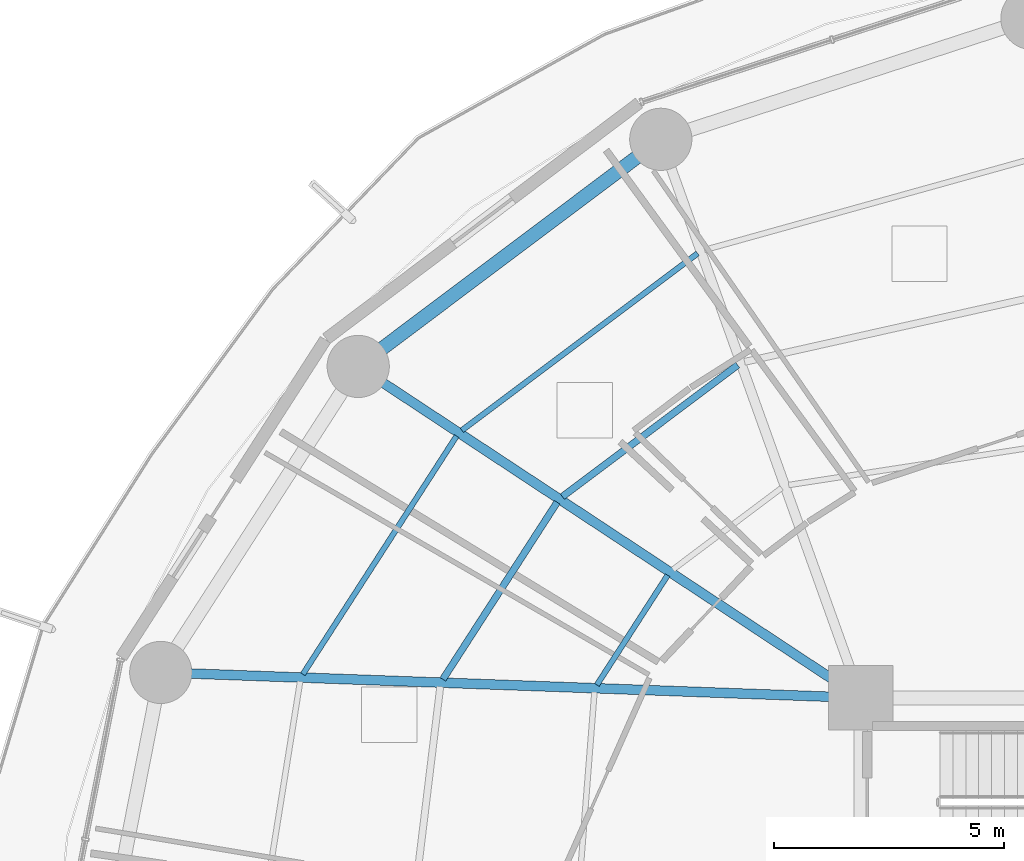
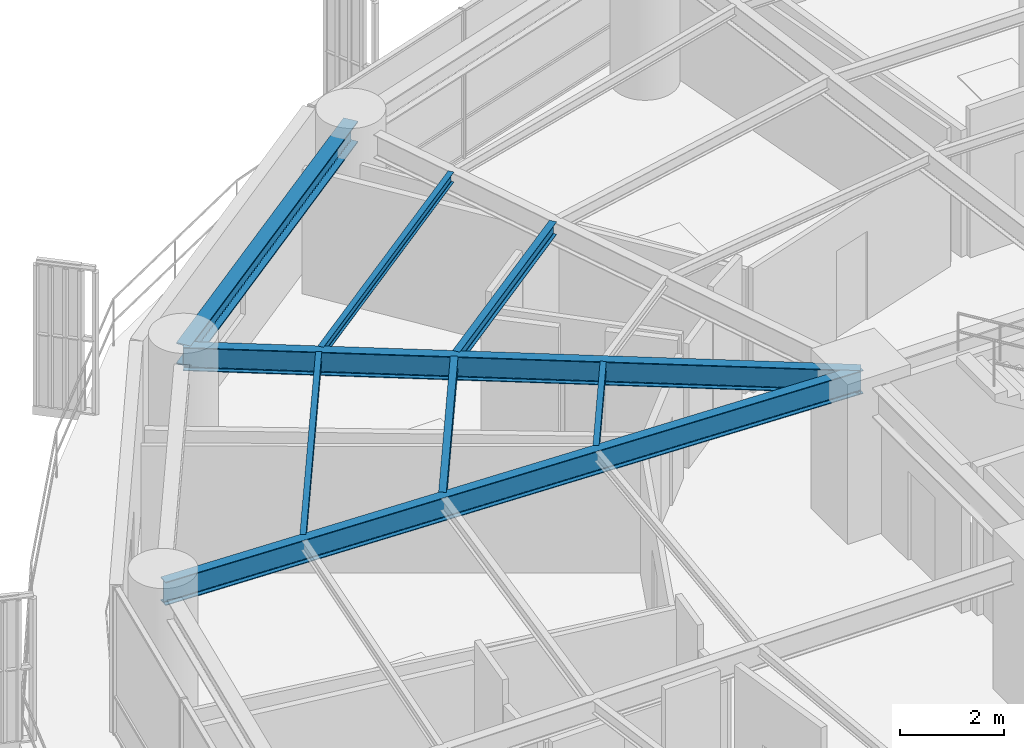
# One storey, part 18 of 35: 8 beams.
"""IFC4 building model written with IfcOpenShell, lengths in metres."""

from ifc_helpers import new_model, si_unit, direction, frame, origin, origin_2d, place, context, subcontext, project, spatial, i_section, extrude, material, material_profile, profile_set, type_object, element, save


model = new_model("IFC4")

# Units and contexts
model_context = context("Model", 3, precision=1e-05, world=origin(), true_north=direction((0.0, 1.0)))
body_context = subcontext(model_context, "Body", "Model", "MODEL_VIEW")
ifc_project = project(units=[si_unit("LENGTHUNIT", "METRE"), si_unit("AREAUNIT", "SQUARE_METRE"), si_unit("VOLUMEUNIT", "CUBIC_METRE"), si_unit("PLANEANGLEUNIT", "RADIAN"), si_unit("MASSUNIT", "GRAM", prefix="KILO")], contexts=[model_context])

# Site, building, storey
site_placement = place(None, origin())
site = spatial("IfcSite", under=ifc_project, at=site_placement, CompositionType="ELEMENT")
building_placement = place(site_placement, origin())
building = spatial("IfcBuilding", under=site, at=building_placement, Name="Kelanora Arch Commons", CompositionType="ELEMENT")
storey_placement = place(building_placement, frame((0.0, 0.0, 95.10009765625)))
storey = spatial("IfcBuildingStorey", under=building, at=storey_placement, Name="L24", CompositionType="ELEMENT", Elevation=95.10009765625)

# Beams
ifc_material = material(Name="Steel S355", Category="steel")
ifc_material_profile_1 = material_profile(ifc_material, i_section(OverallWidth=0.14990234375, OverallDepth=0.300048828125, WebThickness=0.007080078125, FlangeThickness=0.0107421875, FilletRadius=0.014892578125, at=origin_2d()), Name="IPE300")
ifc_profile_set_1 = profile_set([ifc_material_profile_1], Name="Steel S355")
beam_type_1 = type_object("IfcBeamType", Name="BM-JST-01", PredefinedType="JOIST", material=ifc_profile_set_1)
beam_1_placement = place(storey_placement, frame((63.327880859375, 72.22216796875, 3.33984375), z_axis=(-0.79971039107, -0.600385951214, 0.0), x_axis=(0.600385951214, -0.79971039107, 0.0)))
element("IfcBeam", 1, at=beam_1_placement, inside=storey, type_object=beam_type_1, Name="Secondary Chord Joist BJB-12 L24", PredefinedType="JOIST", context=body_context, shape_type="SweptSolid", body=[
    extrude(i_section(OverallWidth=0.14990234375, OverallDepth=0.300048828125, WebThickness=0.007080078125, FlangeThickness=0.0107421875, FilletRadius=0.014892578125, at=origin_2d()), origin(), (0.0, 0.0, 1.0), 4.756103515625),
])
beam_2_placement = place(storey_placement, frame((59.410400390625, 69.244384765625, 3.33984375), z_axis=(-0.542230243286, -0.840229946661, 0.0), x_axis=(0.840229946661, -0.542230243286, 0.0)))
element("IfcBeam", 2, at=beam_2_placement, inside=storey, type_object=beam_type_1, Name="Secondary Chord Joist BJB-14 L24", PredefinedType="JOIST", context=body_context, shape_type="SweptSolid", body=[
    extrude(i_section(OverallWidth=0.14990234375, OverallDepth=0.300048828125, WebThickness=0.007080078125, FlangeThickness=0.0107421875, FilletRadius=0.014892578125, at=origin_2d()), origin(), (0.0, 0.0, 1.0), 4.572265625),
])
ifc_material_profile_2 = material_profile(ifc_material, i_section(OverallWidth=0.1201171875, OverallDepth=0.239990234375, WebThickness=0.006103515625, FlangeThickness=0.009765625, FilletRadius=0.014892578125, at=origin_2d()), Name="IPE240")
ifc_profile_set_2 = profile_set([ifc_material_profile_2], Name="Steel S355")
beam_type_2 = type_object("IfcBeamType", Name="BM-JST-02", PredefinedType="JOIST", material=ifc_profile_set_2)
beam_3_placement = place(storey_placement, frame((62.4599609375, 74.646484375, 3.369873046875), z_axis=(-0.799734335646, -0.600354055861, 0.0), x_axis=(0.600354055861, -0.799734335646, 0.0)))
element("IfcBeam", 3, at=beam_3_placement, inside=storey, type_object=beam_type_2, Name="Secondary Chord Joist BJC-12 L24", PredefinedType="JOIST", context=body_context, shape_type="SweptSolid", body=[
    extrude(i_section(OverallWidth=0.1201171875, OverallDepth=0.239990234375, WebThickness=0.006103515625, FlangeThickness=0.009765625, FilletRadius=0.014892578125, at=origin_2d()), origin(), (0.0, 0.0, 1.0), 6.39794921875),
])
beam_4_placement = place(storey_placement, frame((61.8095703125, 67.661865234375, 3.369873046875), z_axis=(-0.542211255502, -0.840242199849, 0.0), x_axis=(0.840242199849, -0.542211255502, 0.0)))
element("IfcBeam", 4, at=beam_4_placement, inside=storey, type_object=beam_type_2, Name="Secondary Chord Joist BJA-14 L24", PredefinedType="JOIST", context=body_context, shape_type="SweptSolid", body=[
    extrude(i_section(OverallWidth=0.1201171875, OverallDepth=0.239990234375, WebThickness=0.006103515625, FlangeThickness=0.009765625, FilletRadius=0.014892578125, at=origin_2d()), origin(), (0.0, 0.0, 1.0), 2.83349609375),
])
beam_5_placement = place(storey_placement, frame((57.22900390625, 70.682861328125, 3.369873046875), z_axis=(-0.542212726273, -0.840241250754, 0.0), x_axis=(0.840241250754, -0.542212726273, 0.0)))
element("IfcBeam", 5, at=beam_5_placement, inside=storey, type_object=beam_type_2, Name="Secondary Chord Joist BJC-14 L24", PredefinedType="JOIST", context=body_context, shape_type="SweptSolid", body=[
    extrude(i_section(OverallWidth=0.1201171875, OverallDepth=0.239990234375, WebThickness=0.006103515625, FlangeThickness=0.009765625, FilletRadius=0.014892578125, at=origin_2d()), origin(), (0.0, 0.0, 1.0), 6.15283203125),
])
ifc_material_profile_3 = material_profile(ifc_material, i_section(OverallWidth=0.2099609375, OverallDepth=0.550048828125, WebThickness=0.010986328125, FlangeThickness=0.01708984375, FilletRadius=0.02392578125, at=origin_2d()), Name="IPE550")
ifc_profile_set_3 = profile_set([ifc_material_profile_3], Name="Steel S355")
beam_type_3 = type_object("IfcBeamType", Name="BM-RAD-Z2", PredefinedType="BEAM", material=ifc_profile_set_3)
beam_6_placement = place(storey_placement, frame((66.0, 65.0, 3.21484375), z_axis=(-0.834788577908, 0.550570640512, 0.0), x_axis=(-0.550570640512, -0.834788577908, 0.0)))
element("IfcBeam", 6, at=beam_6_placement, inside=storey, type_object=beam_type_3, Name="Radial Floor Girder BR-14 L24", PredefinedType="BEAM", context=body_context, shape_type="SweptSolid", body=[
    extrude(i_section(OverallWidth=0.2099609375, OverallDepth=0.550048828125, WebThickness=0.010986328125, FlangeThickness=0.01708984375, FilletRadius=0.02392578125, at=origin_2d()), origin(), (0.0, 0.0, 1.0), 13.064453125),
])
beam_7_placement = place(storey_placement, frame((66.0, 65.0, 3.21484375), z_axis=(-0.999341087625, 0.036295875581, 0.0), x_axis=(-0.036295875581, -0.999341087625, 0.0)))
element("IfcBeam", 7, at=beam_7_placement, inside=storey, type_object=beam_type_3, Name="Radial Floor Girder BR-16 L24", PredefinedType="BEAM", context=body_context, shape_type="SweptSolid", body=[
    extrude(i_section(OverallWidth=0.2099609375, OverallDepth=0.550048828125, WebThickness=0.010986328125, FlangeThickness=0.01708984375, FilletRadius=0.02392578125, at=origin_2d()), origin(), (0.0, 0.0, 1.0), 15.20166015625),
])
ifc_material_profile_4 = material_profile(ifc_material, i_section(OverallWidth=0.300048828125, OverallDepth=0.5, WebThickness=0.014404296875, FlangeThickness=0.028076171875, FilletRadius=0.027099609375, at=origin_2d()), Name="HEB500")
ifc_profile_set_4 = profile_set([ifc_material_profile_4], Name="Steel S355")
beam_type_4 = type_object("IfcBeamType", Name="BM-SPN-Z2", PredefinedType="SPANDREL", material=ifc_profile_set_4)
beam_8_placement = place(storey_placement, frame((61.659912109375, 77.121826171875, 3.239990234375), z_axis=(-0.799735861602, -0.600352023123, 0.0), x_axis=(0.600352023123, -0.799735861602, 0.0)))
element("IfcBeam", 8, at=beam_8_placement, inside=storey, type_object=beam_type_4, Name="Perimeter Spandrel Beam BS-12 L24", PredefinedType="SPANDREL", context=body_context, shape_type="SweptSolid", body=[
    extrude(i_section(OverallWidth=0.300048828125, OverallDepth=0.5, WebThickness=0.014404296875, FlangeThickness=0.028076171875, FilletRadius=0.027099609375, at=origin_2d()), origin(), (0.0, 0.0, 1.0), 8.210205078125),
])

save(model, "model.ifc")
